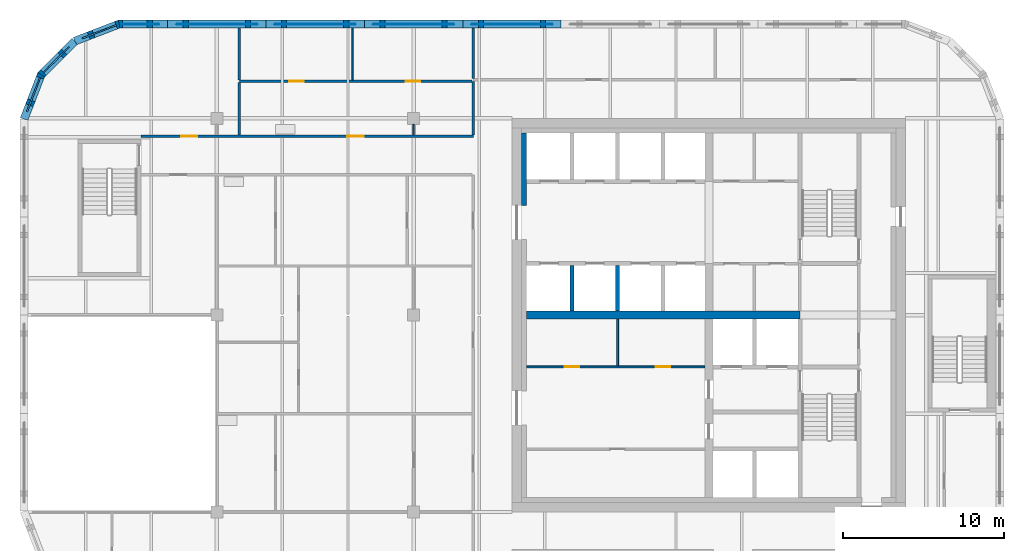
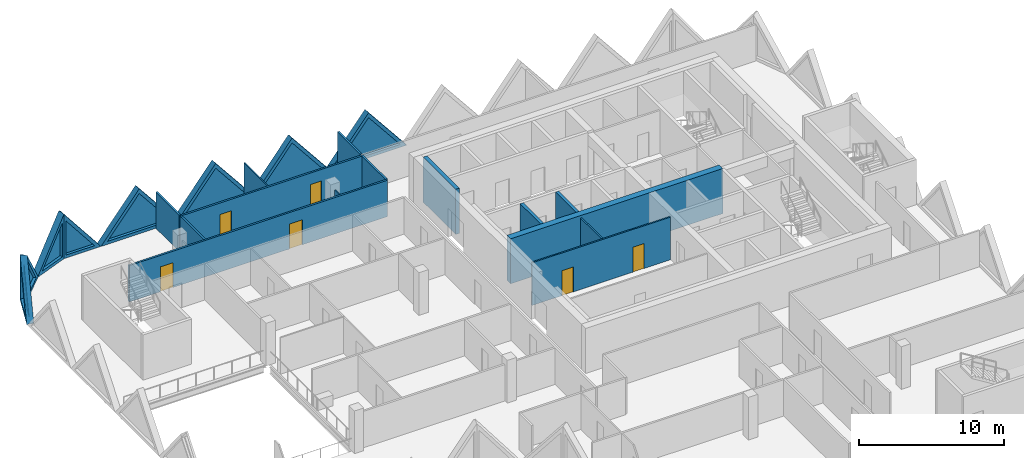
# One storey, part 7 of 12: 22 walls, 8 plates, 6 doors, 14 openings.
"""IFC4 building model written with IfcOpenShell, lengths in metres."""

from ifc_helpers import new_model, si_unit, direction, frame, frame_2d, origin, place, context, subcontext, project, spatial, polyline, rectangle, outline, extrude, faceted_brep, source, transform, mapped, material, layer, layer_set, type_object, element, fill, save


model = new_model("IFC4")

# Units and contexts
model_context = context("Model", 3, precision=1e-05, world=origin(), true_north=direction((0.0, 1.0)))
body_context = subcontext(model_context, "Body", "Model", "MODEL_VIEW")
ifc_project = project(units=[si_unit("LENGTHUNIT", "METRE"), si_unit("AREAUNIT", "SQUARE_METRE"), si_unit("VOLUMEUNIT", "CUBIC_METRE"), si_unit("PLANEANGLEUNIT", "RADIAN"), si_unit("MASSUNIT", "GRAM", prefix="KILO")], contexts=[model_context])

# Site, building, storey
site_placement = place(None, origin())
site = spatial("IfcSite", under=ifc_project, at=site_placement, CompositionType="ELEMENT")
building_placement = place(site_placement, origin())
building = spatial("IfcBuilding", under=site, at=building_placement, Name="Tessera Gate Towers", CompositionType="ELEMENT")
storey_placement = place(building_placement, frame((0.0, 0.0, 155.39990234375)))
storey = spatial("IfcBuildingStorey", under=building, at=storey_placement, Name="L38", CompositionType="ELEMENT", Elevation=155.39990234375)

# Walls
ifc_material_1 = material(Name="Concrete C40/50", Category="concrete")
ifc_layer_1 = layer(ifc_material_1, 0.25)
ifc_layer_set_1 = layer_set([ifc_layer_1], Name="CORE ENCLOSURE WALL 250")
wall_type_1 = type_object("IfcWallType", Name="CORE ENCLOSURE WALL 250", PredefinedType="SOLIDWALL", material=ifc_layer_set_1)
for number, where, z_axis, x_axis, name in (
    (1, (34.22509765625, 36.85009765625, 0.0), (0.0, 0.0, 1.0), (0.0, 1.0, 0.0), "L38 shaft and stair enclosure wall"),
    (2, (37.050048828125, 36.85009765625, 0.0), (0.0, 0.0, 1.0), (0.0, 1.0, 0.0), "L38 shaft and stair enclosure wall"),
):
    element("IfcWall", number, at=place(storey_placement, frame(where, z_axis=z_axis, x_axis=x_axis)), inside=storey, type_object=wall_type_1, Name=name, PredefinedType="SOLIDWALL", context=body_context, shape_type="SweptSolid", body=[
        extrude(rectangle(XDim=2.824951171875, YDim=0.25, at=frame_2d((1.41259765625, 0.0))), origin(), (0.0, 0.0, 1.0), 3.800048828125),
    ])

# Wall, openings, doors
ifc_material_2 = material(Name="Gypsum board on steel studs", Category="steel")
ifc_layer_2 = layer(ifc_material_2, 0.1201171875)
ifc_layer_set_2 = layer_set([ifc_layer_2], Name="CORE PARTITION 120")
wall_type_2 = type_object("IfcWallType", Name="CORE PARTITION 120", PredefinedType="PARTITIONING", material=ifc_layer_set_2)
wall_1_placement = place(storey_placement, frame((31.39990234375, 33.39990234375, 0.0), z_axis=(0.0, 0.0, 1.0), x_axis=(1.0, 0.0, 0.0)))
wall_1 = element("IfcWall", 3, at=wall_1_placement, inside=storey, type_object=wall_type_2, Name="L38 core partition", PredefinedType="PARTITIONING", context=body_context, shape_type="SweptSolid", body=[
    extrude(rectangle(XDim=11.050048828125, YDim=0.1201171875, at=frame_2d((5.52490234375, 0.0))), origin(), (0.0, 0.0, 1.0), 3.60009765625),
])
shared_shape_1 = source(origin(), body_context, "Body", "SweptSolid", [
    extrude(rectangle(XDim=0.89990234375, YDim=2.10009765625, at=frame_2d((0.449951171875, 1.050048828125))), frame((0.0, 0.070068359375, 0.0), z_axis=(0.0, -1.0, 0.0), x_axis=(1.0, 0.0, 0.0)), (0.0, 0.0, 1.0), 0.14013671875),
])
opening_1_placement = place(wall_1_placement, frame((2.375, 0.0, 0.0)))
opening_1 = element("IfcOpeningElement", 4, at=opening_1_placement, cuts=wall_1, Name="Opening RD-T1-25-08", PredefinedType="OPENING", context=body_context, shape_type="MappedRepresentation", body=[
    mapped(shared_shape_1, transform((0.0, 0.0, 0.0), scale=1.0)),
])
opening_2_placement = place(wall_1_placement, frame((8.02490234375, 0.0, 0.0)))
opening_2 = element("IfcOpeningElement", 5, at=opening_2_placement, cuts=wall_1, Name="Opening RD-T1-25-09", PredefinedType="OPENING", context=body_context, shape_type="MappedRepresentation", body=[
    mapped(shared_shape_1, transform((0.0, 0.0, 0.0), scale=1.0)),
])
ifc_material_3 = material(Name="Hollow steel fire door", Category="steel")
door_type_1 = type_object("IfcDoorType", Name="CORE DOOR RD 900x2100", OperationType="NOTDEFINED", PredefinedType="DOOR", material=ifc_material_3)
shared_shape_2 = source(origin(), body_context, "Body", "SweptSolid", [
    extrude(rectangle(XDim=0.89990234375, YDim=2.10009765625, at=frame_2d((0.449951171875, 1.050048828125))), frame((0.0, 0.02490234375, 0.0), z_axis=(0.0, -1.0, 0.0), x_axis=(1.0, 0.0, 0.0)), (0.0, 0.0, 1.0), 0.050048828125),
])
door_1_placement = place(opening_1_placement, origin())
door_1 = element("IfcDoor", 6, at=door_1_placement, inside=storey, type_object=door_type_1, Name="Core room door", OperationType="SINGLE_SWING_LEFT", OverallHeight=2.10009765625, OverallWidth=0.89990234375, PredefinedType="DOOR", context=body_context, shape_type="MappedRepresentation", body=[
    mapped(shared_shape_2, transform((0.0, 0.0, 0.0), scale=1.0)),
])
fill(opening_1, door_1)
door_2_placement = place(opening_2_placement, origin())
door_2 = element("IfcDoor", 7, at=door_2_placement, inside=storey, type_object=door_type_1, Name="Core room door", OperationType="SINGLE_SWING_RIGHT", OverallHeight=2.10009765625, OverallWidth=0.89990234375, PredefinedType="DOOR", context=body_context, shape_type="MappedRepresentation", body=[
    mapped(shared_shape_2, transform((0.0, 0.0, 0.0), scale=1.0)),
])
fill(opening_2, door_2)

# Walls
wall_2_placement = place(storey_placement, frame((37.050048828125, 33.4599609375, 0.0), z_axis=(0.0, 0.0, 1.0), x_axis=(0.0, 1.0, 0.0)))
element("IfcWall", 8, at=wall_2_placement, inside=storey, type_object=wall_type_2, Name="L38 core partition", PredefinedType="PARTITIONING", context=body_context, shape_type="SweptSolid", body=[
    extrude(rectangle(XDim=2.89013671875, YDim=0.1201171875, at=frame_2d((1.445068359375, 0.0))), origin(), (0.0, 0.0, 1.0), 3.60009765625),
])
ifc_material_4 = material(Name="Concrete C50/60", Category="concrete")
ifc_layer_3 = layer(ifc_material_4, 0.5)
ifc_layer_set_3 = layer_set([ifc_layer_3], Name="CORE SPINE WALL 500 C50/60")
wall_type_3 = type_object("IfcWallType", Name="CORE SPINE WALL 500 C50/60", PredefinedType="SHEAR", material=ifc_layer_set_3)
wall_3_placement = place(storey_placement, frame((31.39990234375, 36.60009765625, 0.0), z_axis=(0.0, 0.0, 1.0), x_axis=(1.0, 0.0, 0.0)))
element("IfcWall", 9, at=wall_3_placement, inside=storey, type_object=wall_type_3, Name="Core wall spine L38", PredefinedType="SHEAR", context=body_context, shape_type="SweptSolid", body=[
    extrude(rectangle(XDim=16.9501953125, YDim=0.5, at=frame_2d((8.47509765625, 0.0))), origin(), (0.0, 0.0, 1.0), 3.800048828125),
])
ifc_material_5 = material(Name="Concrete C50/60", Category="concrete")
ifc_layer_4 = layer(ifc_material_5, 0.300048828125)
ifc_layer_set_4 = layer_set([ifc_layer_4], Name="CORE WALL THICKENING 300")
wall_type_4 = type_object("IfcWallType", Name="CORE WALL THICKENING 300", PredefinedType="SOLIDWALL", material=ifc_layer_set_4)
wall_4_placement = place(storey_placement, frame((31.25, 43.39990234375, 0.0), z_axis=(0.0, 0.0, 1.0), x_axis=(0.0, 1.0, 0.0)))
element("IfcWall", 10, at=wall_4_placement, inside=storey, type_object=wall_type_4, Name="Core wall thickening W L38", PredefinedType="SOLIDWALL", context=body_context, shape_type="SweptSolid", body=[
    extrude(rectangle(XDim=4.5, YDim=0.300048828125, at=frame_2d((2.25, 0.0))), origin(), (0.0, 0.0, 1.0), 3.800048828125),
])

# Wall, openings, doors
ifc_material_6 = material(Name="Gypsum board on steel studs, mineral wool", Category="steel")
ifc_layer_5 = layer(ifc_material_6, 0.14990234375)
ifc_layer_set_5 = layer_set([ifc_layer_5], Name="CORRIDOR WALL 150")
wall_type_5 = type_object("IfcWallType", Name="CORRIDOR WALL 150", PredefinedType="PARTITIONING", material=ifc_layer_set_5)
wall_5_placement = place(storey_placement, frame((7.5, 47.699951171875, 0.0), z_axis=(0.0, 0.0, 1.0), x_axis=(1.0, 0.0, 0.0)))
wall_5 = element("IfcWall", 11, at=wall_5_placement, inside=storey, type_object=wall_type_5, Name="T1-L38-PW-040", PredefinedType="PARTITIONING", context=body_context, shape_type="SweptSolid", body=[
    extrude(rectangle(XDim=20.60009765625, YDim=0.14990234375, at=frame_2d((10.300048828125, 0.0))), origin(), (0.0, 0.0, 1.0), 3.067138671875),
])
shared_shape_3 = source(origin(), body_context, "Body", "SweptSolid", [
    extrude(rectangle(XDim=1.0, YDim=2.10009765625, at=frame_2d((0.5, 1.050048828125))), frame((0.0, 0.0849609375, 0.0), z_axis=(0.0, -1.0, 0.0), x_axis=(1.0, 0.0, 0.0)), (0.0, 0.0, 1.0), 0.169921875),
])
opening_3_placement = place(wall_5_placement, frame((2.5, 0.0, 0.0)))
opening_3 = element("IfcOpeningElement", 12, at=opening_3_placement, cuts=wall_5, Name="Opening D2100FD60-A14-05", PredefinedType="OPENING", context=body_context, shape_type="MappedRepresentation", body=[
    mapped(shared_shape_3, transform((0.0, 0.0, 0.0), scale=1.0)),
])
opening_4_placement = place(wall_5_placement, frame((12.800048828125, 0.0, 0.0)))
opening_4 = element("IfcOpeningElement", 13, at=opening_4_placement, cuts=wall_5, Name="Opening D2100FD60-A14-09", PredefinedType="OPENING", context=body_context, shape_type="MappedRepresentation", body=[
    mapped(shared_shape_3, transform((0.0, 0.0, 0.0), scale=1.0)),
])
ifc_material_7 = material(Name="Timber door leaf in steel frame", Category="steel")
door_type_2 = type_object("IfcDoorType", Name="TENANCY ENTRANCE DOOR 1000 FD60", OperationType="NOTDEFINED", PredefinedType="DOOR", material=ifc_material_7)
shared_shape_4 = source(origin(), body_context, "Body", "SweptSolid", [
    extrude(rectangle(XDim=1.0, YDim=2.10009765625, at=frame_2d((0.5, 1.050048828125))), frame((0.0, 0.02490234375, 0.0), z_axis=(0.0, -1.0, 0.0), x_axis=(1.0, 0.0, 0.0)), (0.0, 0.0, 1.0), 0.050048828125),
])
door_3_placement = place(opening_3_placement, origin())
door_3 = element("IfcDoor", 14, at=door_3_placement, inside=storey, type_object=door_type_2, Name="T1-L38-PD-016", OperationType="SINGLE_SWING_LEFT", OverallHeight=2.10009765625, OverallWidth=1.0, PredefinedType="DOOR", context=body_context, shape_type="MappedRepresentation", body=[
    mapped(shared_shape_4, transform((0.0, 0.0, 0.0), scale=1.0)),
])
fill(opening_3, door_3)
door_4_placement = place(opening_4_placement, origin())
door_4 = element("IfcDoor", 15, at=door_4_placement, inside=storey, type_object=door_type_2, Name="T1-L38-PD-026", OperationType="SINGLE_SWING_LEFT", OverallHeight=2.10009765625, OverallWidth=1.0, PredefinedType="DOOR", context=body_context, shape_type="MappedRepresentation", body=[
    mapped(shared_shape_4, transform((0.0, 0.0, 0.0), scale=1.0)),
])
fill(opening_4, door_4)

# Walls
wall_6_placement = place(storey_placement, frame((28.10009765625, 47.77587890625, 0.0), z_axis=(0.0, 0.0, 1.0), x_axis=(0.0, 1.0, 0.0)))
element("IfcWall", 16, at=wall_6_placement, inside=storey, type_object=wall_type_5, Name="T1-L38-PW-042", PredefinedType="PARTITIONING", context=body_context, shape_type="SweptSolid", body=[
    extrude(rectangle(XDim=3.32421875, YDim=0.14990234375, at=frame_2d((1.662109375, 0.0))), origin(), (0.0, 0.0, 1.0), 3.067138671875),
])
ifc_material_8 = material(Name="Gypsum board on steel studs", Category="steel")
ifc_layer_6 = layer(ifc_material_8, 0.10009765625)
ifc_layer_set_6 = layer_set([ifc_layer_6], Name="PARTITION 100")
wall_type_6 = type_object("IfcWallType", Name="PARTITION 100", PredefinedType="PARTITIONING", material=ifc_layer_set_6)
wall_7_placement = place(storey_placement, frame((24.39990234375, 48.425048828125, 0.0), z_axis=(0.0, 0.0, 1.0), x_axis=(0.0, -1.0, 0.0)))
element("IfcWall", 17, at=wall_7_placement, inside=storey, type_object=wall_type_6, Name="T1-L38-PW-044", PredefinedType="PARTITIONING", context=body_context, shape_type="SweptSolid", body=[
    extrude(rectangle(XDim=0.650146484375, YDim=0.10009765625, at=frame_2d((0.3251953125, 0.0))), origin(), (0.0, 0.0, 1.0), 3.067138671875),
])
wall_8_placement = place(storey_placement, frame((20.60498046875, 51.176025390625, 0.0), z_axis=(0.0, 0.0, 1.0), x_axis=(0.0, 1.0, 0.0)))
element("IfcWall", 18, at=wall_8_placement, inside=storey, type_object=wall_type_6, Name="T1-L38-PW-047", PredefinedType="PARTITIONING", context=body_context, shape_type="SweptSolid", body=[
    extrude(rectangle(XDim=3.223876953125, YDim=0.10009765625, at=frame_2d((1.61181640625, 0.0))), origin(), (0.0, 0.0, 1.0), 3.067138671875),
])
ifc_material_9 = material(Name="Gypsum board on steel studs, mineral wool", Category="steel")
ifc_layer_7 = layer(ifc_material_9, 0.14990234375)
ifc_layer_set_7 = layer_set([ifc_layer_7], Name="TENANCY WALL 150")
wall_type_7 = type_object("IfcWallType", Name="TENANCY WALL 150", PredefinedType="PARTITIONING", material=ifc_layer_set_7)
wall_9_placement = place(storey_placement, frame((13.60009765625, 47.77587890625, 0.0), z_axis=(0.0, 0.0, 1.0), x_axis=(0.0, 1.0, 0.0)))
element("IfcWall", 19, at=wall_9_placement, inside=storey, type_object=wall_type_7, Name="T1-L38-PW-041", PredefinedType="PARTITIONING", context=body_context, shape_type="SweptSolid", body=[
    extrude(rectangle(XDim=3.248046875, YDim=0.14990234375, at=frame_2d((1.6240234375, 0.0))), origin(), (0.0, 0.0, 1.0), 3.067138671875),
])

# Wall, openings, doors
wall_10_placement = place(storey_placement, frame((13.60009765625, 51.10009765625, 0.0), z_axis=(0.0, 0.0, 1.0), x_axis=(1.0, 0.0, 0.0)))
wall_10 = element("IfcWall", 20, at=wall_10_placement, inside=storey, type_object=wall_type_7, Name="T1-L38-PW-045", PredefinedType="PARTITIONING", context=body_context, shape_type="SweptSolid", body=[
    extrude(rectangle(XDim=14.423828125, YDim=0.14990234375, at=frame_2d((7.2119140625, 0.0))), origin(), (0.0, 0.0, 1.0), 3.067138671875),
])
shared_shape_5 = source(origin(), body_context, "Body", "SweptSolid", [
    extrude(rectangle(XDim=0.89990234375, YDim=2.10009765625, at=frame_2d((0.449951171875, 1.050048828125))), frame((0.0, 0.0849609375, 0.0), z_axis=(0.0, -1.0, 0.0), x_axis=(1.0, 0.0, 0.0)), (0.0, 0.0, 1.0), 0.169921875),
])
opening_5_placement = place(wall_10_placement, frame((3.10009765625, 0.0, 0.0)))
opening_5 = element("IfcOpeningElement", 21, at=opening_5_placement, cuts=wall_10, Name="Opening D190-A14-10", PredefinedType="OPENING", context=body_context, shape_type="MappedRepresentation", body=[
    mapped(shared_shape_5, transform((0.0, 0.0, 0.0), scale=1.0)),
])
opening_6_placement = place(wall_10_placement, frame((10.3046875, 0.0, 0.0)))
opening_6 = element("IfcOpeningElement", 22, at=opening_6_placement, cuts=wall_10, Name="Opening D190-A14-11", PredefinedType="OPENING", context=body_context, shape_type="MappedRepresentation", body=[
    mapped(shared_shape_5, transform((0.0, 0.0, 0.0), scale=1.0)),
])
ifc_material_10 = material(Name="Timber door leaf in steel frame", Category="steel")
door_type_3 = type_object("IfcDoorType", Name="INTERNAL DOOR 900 NOT RATED", OperationType="NOTDEFINED", PredefinedType="DOOR", material=ifc_material_10)
door_5_placement = place(opening_5_placement, origin())
door_5 = element("IfcDoor", 23, at=door_5_placement, inside=storey, type_object=door_type_3, Name="T1-L38-PD-018", OperationType="SINGLE_SWING_LEFT", OverallHeight=2.10009765625, OverallWidth=0.89990234375, PredefinedType="DOOR", context=body_context, shape_type="MappedRepresentation", body=[
    mapped(shared_shape_2, transform((0.0, 0.0, 0.0), scale=1.0)),
])
fill(opening_5, door_5)
door_6_placement = place(opening_6_placement, origin())
door_6 = element("IfcDoor", 24, at=door_6_placement, inside=storey, type_object=door_type_3, Name="T1-L38-PD-019", OperationType="SINGLE_SWING_LEFT", OverallHeight=2.10009765625, OverallWidth=0.89990234375, PredefinedType="DOOR", context=body_context, shape_type="MappedRepresentation", body=[
    mapped(shared_shape_2, transform((0.0, 0.0, 0.0), scale=1.0)),
])
fill(opening_6, door_6)

# Walls
wall_11_placement = place(storey_placement, frame((13.60009765625, 51.176025390625, 0.0), z_axis=(0.0, 0.0, 1.0), x_axis=(0.0, 1.0, 0.0)))
element("IfcWall", 25, at=wall_11_placement, inside=storey, type_object=wall_type_7, Name="T1-L38-PW-046", PredefinedType="PARTITIONING", context=body_context, shape_type="SweptSolid", body=[
    extrude(rectangle(XDim=3.223876953125, YDim=0.14990234375, at=frame_2d((1.61181640625, 0.0))), origin(), (0.0, 0.0, 1.0), 3.067138671875),
])
wall_12_placement = place(storey_placement, frame((28.10009765625, 51.27587890625, 0.0), z_axis=(0.0, 0.0, 1.0), x_axis=(0.0, 1.0, 0.0)))
element("IfcWall", 26, at=wall_12_placement, inside=storey, type_object=wall_type_7, Name="T1-L38-PW-049", PredefinedType="PARTITIONING", context=body_context, shape_type="SweptSolid", body=[
    extrude(rectangle(XDim=3.1240234375, YDim=0.14990234375, at=frame_2d((1.56201171875, 0.0))), origin(), (0.0, 0.0, 1.0), 3.067138671875),
])

# Wall, opening, plate
ifc_material_11 = material(Name="Precast concrete C60/75 white", Category="concrete")
ifc_layer_8 = layer(ifc_material_11, 0.5)
ifc_layer_set_8 = layer_set([ifc_layer_8], Name="TS2 half tessera")
wall_type_8 = type_object("IfcWallType", Name="TS2 half tessera", PredefinedType="SOLIDWALL", material=ifc_layer_set_8)
shared_shape_6 = source(origin(), body_context, "Body", "Brep", [
    faceted_brep([(6.099853515625, -0.25, 0.000244140625), (3.050048828125, -0.25, 3.800048828125), (0.0, -0.25, 0.0), (6.099853515625, -0.25, 0.0), (0.0, 0.25, 0.0), (3.050048828125, 0.25, 3.800048828125), (6.099853515625, 0.25, 0.000244140625), (6.099853515625, 0.25, 0.0)], [[[0, 1, 2, 3]], [[4, 5, 6, 7]], [[6, 5, 1, 0]], [[5, 4, 2, 1]], [[4, 7, 3, 2]], [[3, 7, 6, 0]]]),
])
wall_13_placement = place(storey_placement, frame((27.449951171875, 54.64990234375, 0.0), z_axis=(0.0, 0.0, 1.0), x_axis=(-1.0, 0.0, 0.0)))
wall_13 = element("IfcWall", 27, at=wall_13_placement, inside=storey, type_object=wall_type_8, Name="Precast half tessera T1 TS2-0198", PredefinedType="SOLIDWALL", context=body_context, shape_type="MappedRepresentation", body=[
    mapped(shared_shape_6, transform((0.0, 0.0, 0.0), scale=1.0)),
])
shared_shape_7 = source(origin(), body_context, "Body", "SweptSolid", [
    extrude(outline(polyline([(5.578857421875, 0.25), (3.050048828125, 3.400634765625), (0.521240234375, 0.25), (5.578857421875, 0.25)])), frame((0.0, 0.260009765625, 0.0), z_axis=(0.0, -1.0, 0.0), x_axis=(1.0, 0.0, 0.0)), (0.0, 0.0, 1.0), 0.52001953125),
])
opening_7_placement = place(wall_13_placement, origin())
opening_7 = element("IfcOpeningElement", 28, at=opening_7_placement, cuts=wall_13, Name="Opening T1-PL1-0400", PredefinedType="OPENING", context=body_context, shape_type="MappedRepresentation", body=[
    mapped(shared_shape_7, transform((0.0, 0.0, 0.0), scale=1.0)),
])
ifc_material_12 = material(Name="Low-e laminated glass", Category="glass")
ifc_layer_9 = layer(ifc_material_12, 0.06005859375)
ifc_layer_set_9 = layer_set([ifc_layer_9], Name="PL1 triangular pane")
plate_type = type_object("IfcPlateType", Name="PL1 triangular pane", PredefinedType="SHEET", material=ifc_layer_set_9)
shared_shape_8 = source(origin(), body_context, "Body", "SweptSolid", [
    extrude(outline(polyline([(5.578857421875, 0.25), (3.050048828125, 3.400634765625), (0.521240234375, 0.25), (5.578857421875, 0.25)])), frame((0.0, 0.030029296875, 0.0), z_axis=(0.0, -1.0, 0.0), x_axis=(1.0, 0.0, 0.0)), (0.0, 0.0, 1.0), 0.06005859375),
])
plate_1_placement = place(opening_7_placement, origin())
plate_1 = element("IfcPlate", 29, at=plate_1_placement, inside=storey, type_object=plate_type, Name="Glass pane T1 PL1-0400", PredefinedType="SHEET", context=body_context, shape_type="MappedRepresentation", body=[
    mapped(shared_shape_8, transform((0.0, 0.0, 0.0), scale=1.0)),
])
fill(opening_7, plate_1)

shared_shape_9 = source(origin(), body_context, "Body", "SweptSolid", [
    extrude(outline(polyline([(6.10009765625, 0.0), (3.050048828125, 3.800048828125), (0.0, 0.0), (6.10009765625, 0.0)])), frame((0.0, 0.25, 0.0), z_axis=(0.0, -1.0, 0.0), x_axis=(1.0, 0.0, 0.0)), (0.0, 0.0, 1.0), 0.5),
])
wall_14_placement = place(storey_placement, frame((33.550048828125, 54.64990234375, 0.0), z_axis=(0.0, 0.0, 1.0), x_axis=(-1.0, 0.0, 0.0)))
wall_14 = element("IfcWall", 30, at=wall_14_placement, inside=storey, type_object=wall_type_8, Name="Precast half tessera T1 TS2-0197", PredefinedType="SOLIDWALL", context=body_context, shape_type="MappedRepresentation", body=[
    mapped(shared_shape_9, transform((0.0, 0.0, 0.0), scale=1.0)),
])
opening_8_placement = place(wall_14_placement, origin())
opening_8 = element("IfcOpeningElement", 31, at=opening_8_placement, cuts=wall_14, Name="Opening T1-PL1-0399", PredefinedType="OPENING", context=body_context, shape_type="MappedRepresentation", body=[
    mapped(shared_shape_7, transform((0.0, 0.0, 0.0), scale=1.0)),
])
plate_2_placement = place(opening_8_placement, origin())
plate_2 = element("IfcPlate", 32, at=plate_2_placement, inside=storey, type_object=plate_type, Name="Glass pane T1 PL1-0399", PredefinedType="SHEET", context=body_context, shape_type="MappedRepresentation", body=[
    mapped(shared_shape_8, transform((0.0, 0.0, 0.0), scale=1.0)),
])
fill(opening_8, plate_2)

wall_15_placement = place(storey_placement, frame((21.35009765625, 54.64990234375, 0.0), z_axis=(0.0, 0.0, 1.0), x_axis=(-1.0, 0.0, 0.0)))
wall_15 = element("IfcWall", 33, at=wall_15_placement, inside=storey, type_object=wall_type_8, Name="Precast half tessera T1 TS2-0199", PredefinedType="SOLIDWALL", context=body_context, shape_type="MappedRepresentation", body=[
    mapped(shared_shape_9, transform((0.0, 0.0, 0.0), scale=1.0)),
])
opening_9_placement = place(wall_15_placement, origin())
opening_9 = element("IfcOpeningElement", 34, at=opening_9_placement, cuts=wall_15, Name="Opening T1-PL1-0401", PredefinedType="OPENING", context=body_context, shape_type="MappedRepresentation", body=[
    mapped(shared_shape_7, transform((0.0, 0.0, 0.0), scale=1.0)),
])
plate_3_placement = place(opening_9_placement, origin())
plate_3 = element("IfcPlate", 35, at=plate_3_placement, inside=storey, type_object=plate_type, Name="Glass pane T1 PL1-0401", PredefinedType="SHEET", context=body_context, shape_type="MappedRepresentation", body=[
    mapped(shared_shape_8, transform((0.0, 0.0, 0.0), scale=1.0)),
])
fill(opening_9, plate_3)

wall_16_placement = place(storey_placement, frame((15.25, 54.64990234375, 0.0), z_axis=(0.0, 0.0, 1.0), x_axis=(-1.0, 0.0, 0.0)))
wall_16 = element("IfcWall", 36, at=wall_16_placement, inside=storey, type_object=wall_type_8, Name="Precast half tessera T1 TS2-0200", PredefinedType="SOLIDWALL", context=body_context, shape_type="MappedRepresentation", body=[
    mapped(shared_shape_9, transform((0.0, 0.0, 0.0), scale=1.0)),
])
opening_10_placement = place(wall_16_placement, origin())
opening_10 = element("IfcOpeningElement", 37, at=opening_10_placement, cuts=wall_16, Name="Opening T1-PL1-0402", PredefinedType="OPENING", context=body_context, shape_type="MappedRepresentation", body=[
    mapped(shared_shape_7, transform((0.0, 0.0, 0.0), scale=1.0)),
])
plate_4_placement = place(opening_10_placement, origin())
plate_4 = element("IfcPlate", 38, at=plate_4_placement, inside=storey, type_object=plate_type, Name="Glass pane T1 PL1-0402", PredefinedType="SHEET", context=body_context, shape_type="MappedRepresentation", body=[
    mapped(shared_shape_8, transform((0.0, 0.0, 0.0), scale=1.0)),
])
fill(opening_10, plate_4)

ifc_material_13 = material(Name="Precast concrete C60/75 white", Category="concrete")
ifc_layer_10 = layer(ifc_material_13, 0.5)
ifc_layer_set_10 = layer_set([ifc_layer_10], Name="TS3 corner tessera")
wall_type_9 = type_object("IfcWallType", Name="TS3 corner tessera", PredefinedType="SOLIDWALL", material=ifc_layer_set_10)
shared_shape_10 = source(origin(), body_context, "Body", "Brep", [
    faceted_brep([(3.050048828125, -0.25, 3.739990234375), (3.00341796875, -0.25, 3.800048828125), (0.0, -0.25, 0.0), (3.050048828125, -0.25, 0.0), (0.0, 0.25, 0.0), (2.956787109375, 0.25, 3.7412109375), (2.956787109375, 0.25, 0.0), (3.00341796875, 0.000244140625, 3.800048828125)], [[[0, 1, 2, 3]], [[4, 5, 6]], [[7, 1, 0]], [[5, 4, 2, 1, 7]], [[4, 6, 3, 2]], [[3, 6, 5, 7, 0]]]),
])
wall_17_placement = place(storey_placement, frame((9.14990234375, 54.64990234375, 0.0), z_axis=(0.0, 0.0, 1.0), x_axis=(-1.0, 0.0, 0.0)))
wall_17 = element("IfcWall", 39, at=wall_17_placement, inside=storey, type_object=wall_type_9, Name="Precast corner tessera T1 TS3-0875", PredefinedType="SOLIDWALL", context=body_context, shape_type="MappedRepresentation", body=[
    mapped(shared_shape_10, transform((0.0, 0.0, 0.0), scale=1.0)),
])
shared_shape_11 = source(origin(), body_context, "Body", "SweptSolid", [
    extrude(outline(polyline([(2.803466796875, 3.143798828125), (0.516357421875, 0.25), (2.803466796875, 0.25), (2.803466796875, 3.143798828125)])), frame((0.0, 0.260009765625, 0.0), z_axis=(0.0, -1.0, 0.0), x_axis=(1.0, 0.0, 0.0)), (0.0, 0.0, 1.0), 0.52001953125),
])
opening_11_placement = place(wall_17_placement, origin())
opening_11 = element("IfcOpeningElement", 40, at=opening_11_placement, cuts=wall_17, Name="Opening T1-PL1-0403", PredefinedType="OPENING", context=body_context, shape_type="MappedRepresentation", body=[
    mapped(shared_shape_11, transform((0.0, 0.0, 0.0), scale=1.0)),
])
shared_shape_12 = source(origin(), body_context, "Body", "SweptSolid", [
    extrude(outline(polyline([(2.803466796875, 3.143798828125), (0.516357421875, 0.25), (2.803466796875, 0.25), (2.803466796875, 3.143798828125)])), frame((0.0, 0.030029296875, 0.0), z_axis=(0.0, -1.0, 0.0), x_axis=(1.0, 0.0, 0.0)), (0.0, 0.0, 1.0), 0.06005859375),
])
plate_5_placement = place(opening_11_placement, origin())
plate_5 = element("IfcPlate", 41, at=plate_5_placement, inside=storey, type_object=plate_type, Name="Glass pane T1 PL1-0403", PredefinedType="SHEET", context=body_context, shape_type="MappedRepresentation", body=[
    mapped(shared_shape_12, transform((0.0, 0.0, 0.0), scale=1.0)),
])
fill(opening_11, plate_5)

shared_shape_13 = source(origin(), body_context, "Body", "Brep", [
    faceted_brep([(2.9970703125, -0.25, 0.0), (0.046630859375, -0.25, 3.800048828125), (0.0, -0.25, 3.7412109375), (0.0, -0.25, 0.0), (0.09326171875, 0.25, 3.739990234375), (2.9443359375, 0.25, 0.068115234375), (2.9443359375, 0.25, 0.0), (0.09326171875, 0.25, 0.0), (0.046630859375, 0.0, 3.800048828125), (2.9970703125, 0.00048828125, 0.0)], [[[0, 1, 2, 3]], [[4, 5, 6, 7]], [[5, 4, 8, 1, 0, 9]], [[2, 1, 8]], [[7, 6, 9, 0, 3]], [[7, 3, 2, 8, 4]], [[9, 6, 5]]]),
])
wall_18_placement = place(storey_placement, frame((6.18994140625, 54.666748046875, 0.0), z_axis=(0.0, 0.0, 1.0), x_axis=(-0.932990326376, -0.359901446078, 0.0)))
wall_18 = element("IfcWall", 42, at=wall_18_placement, inside=storey, type_object=wall_type_9, Name="Precast corner tessera T1 TS3-0876", PredefinedType="SOLIDWALL", context=body_context, shape_type="MappedRepresentation", body=[
    mapped(shared_shape_13, transform((0.0, 0.0, 0.0), scale=1.0)),
])
shared_shape_14 = source(origin(), body_context, "Body", "SweptSolid", [
    extrude(outline(polyline([(2.486572265625, 0.25), (0.24658203125, 3.134765625), (0.24658203125, 0.25), (2.486572265625, 0.25)])), frame((0.0, 0.260009765625, 0.0), z_axis=(0.0, -1.0, 0.0), x_axis=(1.0, 0.0, 0.0)), (0.0, 0.0, 1.0), 0.52001953125),
])
opening_12_placement = place(wall_18_placement, origin())
opening_12 = element("IfcOpeningElement", 43, at=opening_12_placement, cuts=wall_18, Name="Opening T1-PL1-0404", PredefinedType="OPENING", context=body_context, shape_type="MappedRepresentation", body=[
    mapped(shared_shape_14, transform((0.0, 0.0, 0.0), scale=1.0)),
])
shared_shape_15 = source(origin(), body_context, "Body", "SweptSolid", [
    extrude(outline(polyline([(2.486572265625, 0.25), (0.24658203125, 3.134765625), (0.24658203125, 0.25), (2.486572265625, 0.25)])), frame((0.0, 0.030029296875, 0.0), z_axis=(0.0, -1.0, 0.0), x_axis=(1.0, 0.0, 0.0)), (0.0, 0.0, 1.0), 0.06005859375),
])
plate_6_placement = place(opening_12_placement, origin())
plate_6 = element("IfcPlate", 44, at=plate_6_placement, inside=storey, type_object=plate_type, Name="Glass pane T1 PL1-0404", PredefinedType="SHEET", context=body_context, shape_type="MappedRepresentation", body=[
    mapped(shared_shape_15, transform((0.0, 0.0, 0.0), scale=1.0)),
])
fill(opening_12, plate_6)

shared_shape_16 = source(origin(), body_context, "Body", "Brep", [
    faceted_brep([(3.00341796875, -0.25, 0.0), (0.052978515625, -0.25, 3.800048828125), (0.0, -0.25, 3.731689453125), (0.0, -0.25, 0.0), (0.10595703125, 0.25, 3.73193359375), (2.95703125, 0.25, 0.059814453125), (2.95703125, 0.25, 0.0), (0.10595703125, 0.25, 0.0), (0.052978515625, 0.0, 3.800048828125), (3.00341796875, 0.00048828125, 0.0)], [[[0, 1, 2, 3]], [[4, 5, 6, 7]], [[5, 4, 8, 1, 0, 9]], [[2, 1, 8]], [[7, 6, 9, 0, 3]], [[7, 3, 2, 8, 4]], [[9, 6, 5]]]),
])
wall_19_placement = place(storey_placement, frame((1.3310546875, 51.5556640625, 0.0), z_axis=(0.0, 0.0, 1.0), x_axis=(-0.35992665181, -0.932980602862, 0.0)))
wall_19 = element("IfcWall", 45, at=wall_19_placement, inside=storey, type_object=wall_type_9, Name="Precast corner tessera T1 TS3-0878", PredefinedType="SOLIDWALL", context=body_context, shape_type="MappedRepresentation", body=[
    mapped(shared_shape_16, transform((0.0, 0.0, 0.0), scale=1.0)),
])
shared_shape_17 = source(origin(), body_context, "Body", "SweptSolid", [
    extrude(outline(polyline([(2.492919921875, 0.25), (0.2529296875, 3.134765625), (0.2529296875, 0.25), (2.492919921875, 0.25)])), frame((0.0, 0.260009765625, 0.0), z_axis=(0.0, -1.0, 0.0), x_axis=(1.0, 0.0, 0.0)), (0.0, 0.0, 1.0), 0.52001953125),
])
opening_13_placement = place(wall_19_placement, origin())
opening_13 = element("IfcOpeningElement", 46, at=opening_13_placement, cuts=wall_19, Name="Opening T1-PL1-0406", PredefinedType="OPENING", context=body_context, shape_type="MappedRepresentation", body=[
    mapped(shared_shape_17, transform((0.0, 0.0, 0.0), scale=1.0)),
])
shared_shape_18 = source(origin(), body_context, "Body", "SweptSolid", [
    extrude(outline(polyline([(2.492919921875, 0.25), (0.2529296875, 3.134765625), (0.2529296875, 0.25), (2.492919921875, 0.25)])), frame((0.0, 0.030029296875, 0.0), z_axis=(0.0, -1.0, 0.0), x_axis=(1.0, 0.0, 0.0)), (0.0, 0.0, 1.0), 0.06005859375),
])
plate_7_placement = place(opening_13_placement, origin())
plate_7 = element("IfcPlate", 47, at=plate_7_placement, inside=storey, type_object=plate_type, Name="Glass pane T1 PL1-0406", PredefinedType="SHEET", context=body_context, shape_type="MappedRepresentation", body=[
    mapped(shared_shape_18, transform((0.0, 0.0, 0.0), scale=1.0)),
])
fill(opening_13, plate_7)

shared_shape_19 = source(origin(), body_context, "Body", "Brep", [
    faceted_brep([(2.9970703125, -0.25, 3.73193359375), (2.944091796875, -0.25, 3.800048828125), (0.0, -0.25, 0.0), (2.9970703125, -0.25, 0.0), (0.052978515625, 0.25, 0.068359375), (2.89111328125, 0.25, 3.73193359375), (2.89111328125, 0.25, 0.0), (0.052978515625, 0.25, 0.0), (2.944091796875, 0.000244140625, 3.800048828125), (0.0, 0.0, 0.0)], [[[0, 1, 2, 3]], [[4, 5, 6, 7]], [[8, 1, 0]], [[5, 4, 9, 2, 1, 8]], [[7, 6, 3, 2, 9]], [[7, 9, 4]], [[3, 6, 5, 8, 0]]]),
])
wall_20_placement = place(storey_placement, frame((3.393798828125, 53.588134765625, 0.0), z_axis=(0.0, 0.0, 1.0), x_axis=(-0.707106781187, -0.707106781187, 0.0)))
wall_20 = element("IfcWall", 48, at=wall_20_placement, inside=storey, type_object=wall_type_9, Name="Precast corner tessera T1 TS3-0877", PredefinedType="SOLIDWALL", context=body_context, shape_type="MappedRepresentation", body=[
    mapped(shared_shape_19, transform((0.0, 0.0, 0.0), scale=1.0)),
])
shared_shape_20 = source(origin(), body_context, "Body", "SweptSolid", [
    extrude(outline(polyline([(2.744140625, 3.1337890625), (0.510009765625, 0.25), (2.744140625, 0.25), (2.744140625, 3.1337890625)])), frame((0.0, 0.260009765625, 0.0), z_axis=(0.0, -1.0, 0.0), x_axis=(1.0, 0.0, 0.0)), (0.0, 0.0, 1.0), 0.52001953125),
])
opening_14_placement = place(wall_20_placement, origin())
opening_14 = element("IfcOpeningElement", 49, at=opening_14_placement, cuts=wall_20, Name="Opening T1-PL1-0405", PredefinedType="OPENING", context=body_context, shape_type="MappedRepresentation", body=[
    mapped(shared_shape_20, transform((0.0, 0.0, 0.0), scale=1.0)),
])
shared_shape_21 = source(origin(), body_context, "Body", "SweptSolid", [
    extrude(outline(polyline([(2.744140625, 3.1337890625), (0.510009765625, 0.25), (2.744140625, 0.25), (2.744140625, 3.1337890625)])), frame((0.0, 0.030029296875, 0.0), z_axis=(0.0, -1.0, 0.0), x_axis=(1.0, 0.0, 0.0)), (0.0, 0.0, 1.0), 0.06005859375),
])
plate_8_placement = place(opening_14_placement, origin())
plate_8 = element("IfcPlate", 50, at=plate_8_placement, inside=storey, type_object=plate_type, Name="Glass pane T1 PL1-0405", PredefinedType="SHEET", context=body_context, shape_type="MappedRepresentation", body=[
    mapped(shared_shape_21, transform((0.0, 0.0, 0.0), scale=1.0)),
])
fill(opening_14, plate_8)

save(model, "model.ifc")
